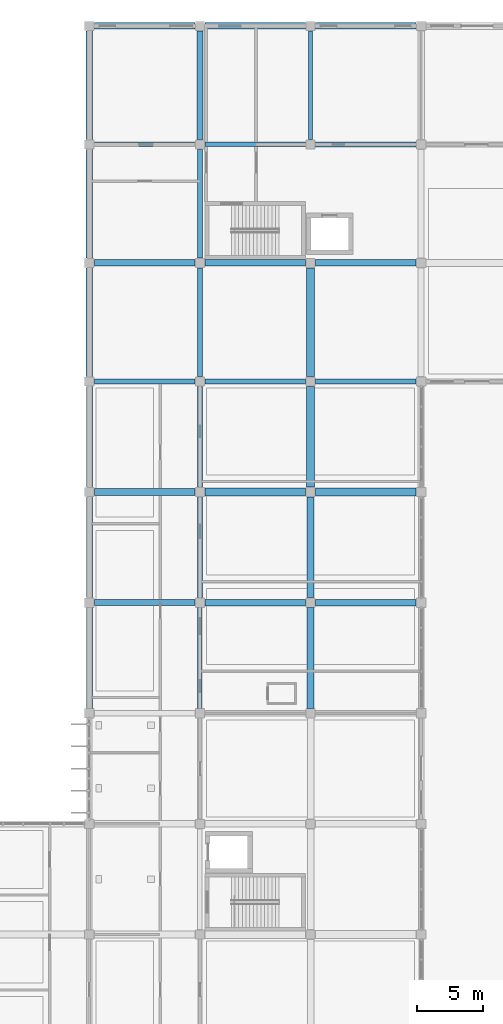
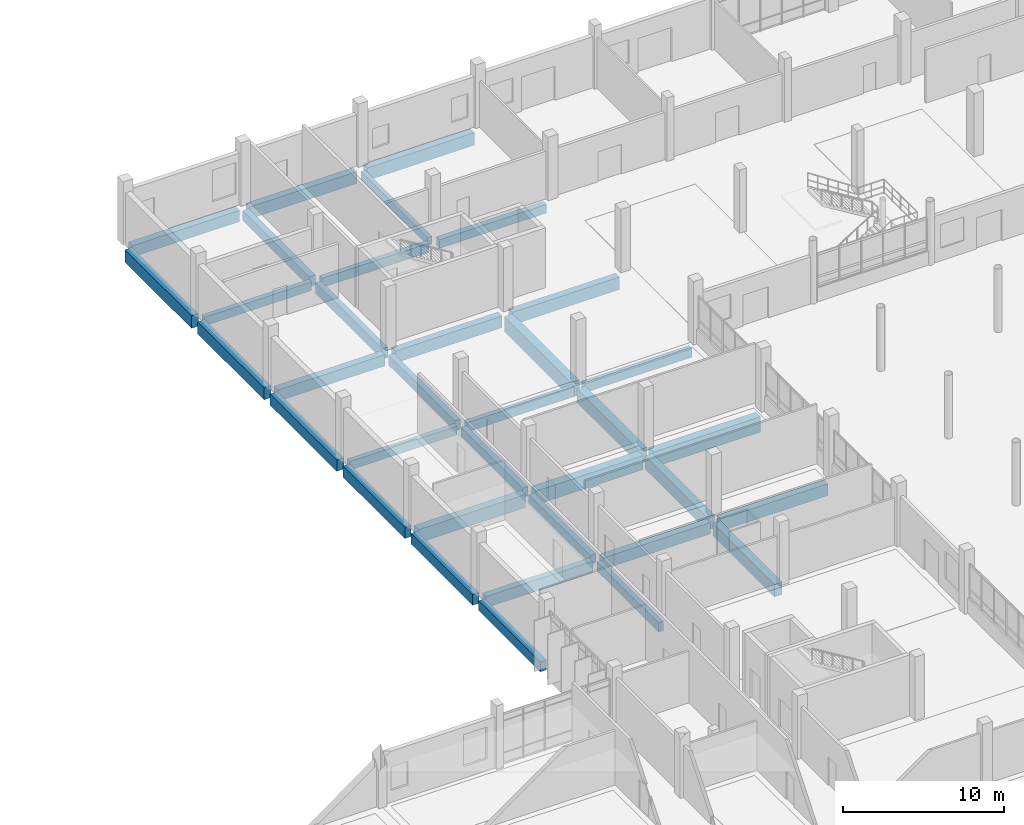
# One storey, part 41 of 95: 35 beams.
"""IFC4 building model written with IfcOpenShell, lengths in metres."""

from ifc_helpers import new_model, si_unit, direction, frame, origin, origin_2d, place, context, subcontext, project, spatial, rectangle, extrude, material, material_profile, profile_set, type_object, element, save


model = new_model("IFC4")

# Units and contexts
model_context = context("Model", 3, precision=1e-05, world=origin(), true_north=direction((0.0, 1.0)))
body_context = subcontext(model_context, "Body", "Model", "MODEL_VIEW")
ifc_project = project(units=[si_unit("LENGTHUNIT", "METRE"), si_unit("AREAUNIT", "SQUARE_METRE"), si_unit("VOLUMEUNIT", "CUBIC_METRE"), si_unit("PLANEANGLEUNIT", "RADIAN"), si_unit("MASSUNIT", "GRAM", prefix="KILO")], contexts=[model_context])

# Site, building, storey
site_placement = place(None, origin())
site = spatial("IfcSite", under=ifc_project, at=site_placement, CompositionType="ELEMENT")
building_placement = place(site_placement, origin())
building = spatial("IfcBuilding", under=site, at=building_placement, Name="Vireocrest Preparatory School", CompositionType="ELEMENT")
storey_placement = place(building_placement, origin())
storey = spatial("IfcBuildingStorey", under=building, at=storey_placement, Name="L00", CompositionType="ELEMENT", Elevation=0.0)

# Beams
ifc_material = material(Name="Concrete 40 MPa", Category="concrete")
ifc_material_profile_1 = material_profile(ifc_material, rectangle(XDim=0.5, YDim=0.949951171875, at=origin_2d()), Name="RC 500x950")
ifc_profile_set_1 = profile_set([ifc_material_profile_1], Name="Concrete 40 MPa")
beam_type_1 = type_object("IfcBeamType", Name="RC Basement Ceiling Girder 500x950", PredefinedType="BEAM", material=ifc_profile_set_1)
for number, where, z_axis, x_axis, name in (
    (1, (59.175048828125, 94.800048828125, -0.824951171875), (1.0, 0.0, 0.0), (0.0, 1.0, 0.0), "Primary Girder B16 L00-0104"),
    (2, (59.175048828125, 112.800048828125, -0.824951171875), (1.0, 0.0, 0.0), (0.0, 1.0, 0.0), "Primary Girder B16 L00-0122"),
):
    element("IfcBeam", number, at=place(storey_placement, frame(where, z_axis=z_axis, x_axis=x_axis)), inside=storey, type_object=beam_type_1, Name=name, PredefinedType="BEAM", context=body_context, shape_type="SweptSolid", body=[
        extrude(rectangle(XDim=0.5, YDim=0.949951171875, at=origin_2d()), origin(), (0.0, 0.0, 1.0), 7.64990234375),
    ])
beam_1_placement = place(storey_placement, frame((42.0, 104.175048828125, -0.824951171875), z_axis=(0.0, 1.0, 0.0), x_axis=(-1.0, 0.0, 0.0)))
element("IfcBeam", 3, at=beam_1_placement, inside=storey, type_object=beam_type_1, Name="Primary Girder B16 L00-0153", PredefinedType="BEAM", context=body_context, shape_type="SweptSolid", body=[
    extrude(rectangle(XDim=0.5, YDim=0.949951171875, at=origin_2d()), origin(), (0.0, 0.0, 1.0), 8.25),
])
ifc_material_profile_2 = material_profile(ifc_material, rectangle(XDim=0.300048828125, YDim=0.60009765625, at=origin_2d()), Name="RC 300x600")
ifc_profile_set_2 = profile_set([ifc_material_profile_2], Name="Concrete 40 MPa")
beam_type_2 = type_object("IfcBeamType", Name="RC Classroom Beam 300x600", PredefinedType="BEAM", material=ifc_profile_set_2)
beam_2_placement = place(storey_placement, frame((58.800048828125, 104.175048828125, -0.64990234375), z_axis=(0.0, 1.0, 0.0), x_axis=(-1.0, 0.0, 0.0)))
element("IfcBeam", 4, at=beam_2_placement, inside=storey, type_object=beam_type_2, Name="Primary Girder B03 L00-0176", PredefinedType="BEAM", context=body_context, shape_type="SweptSolid", body=[
    extrude(rectangle(XDim=0.300048828125, YDim=0.60009765625, at=origin_2d()), origin(), (0.0, 0.0, 1.0), 8.25),
])
ifc_material_profile_3 = material_profile(ifc_material, rectangle(XDim=0.35009765625, YDim=0.64990234375, at=origin_2d()), Name="RC 350x650")
ifc_profile_set_3 = profile_set([ifc_material_profile_3], Name="Concrete 40 MPa")
beam_type_3 = type_object("IfcBeamType", Name="RC Classroom Girder 350x650", PredefinedType="BEAM", material=ifc_profile_set_3)
for number, where, z_axis, x_axis, name in (
    (5, (42.375, 85.800048828125, -0.675048828125), (1.0, 0.0, 0.0), (0.0, 1.0, 0.0), "Primary Girder B05 L00-0093"),
    (6, (42.375, 103.800048828125, -0.675048828125), (1.0, 0.0, 0.0), (0.0, 1.0, 0.0), "Primary Girder B05 L00-0111"),
):
    element("IfcBeam", number, at=place(storey_placement, frame(where, z_axis=z_axis, x_axis=x_axis)), inside=storey, type_object=beam_type_3, Name=name, PredefinedType="BEAM", context=body_context, shape_type="SweptSolid", body=[
        extrude(rectangle(XDim=0.35009765625, YDim=0.64990234375, at=origin_2d()), origin(), (0.0, 0.0, 1.0), 7.64990234375),
    ])
ifc_material_profile_4 = material_profile(ifc_material, rectangle(XDim=0.39990234375, YDim=0.75, at=origin_2d()), Name="RC 400x750")
ifc_profile_set_4 = profile_set([ifc_material_profile_4], Name="Concrete 40 MPa")
beam_type_4 = type_object("IfcBeamType", Name="RC Commons Girder 400x750", PredefinedType="BEAM", material=ifc_profile_set_4)
beam_3_placement = place(storey_placement, frame((50.39990234375, 86.175048828125, -0.72509765625), z_axis=(0.0, 1.0, 0.0), x_axis=(-1.0, 0.0, 0.0)))
element("IfcBeam", 7, at=beam_3_placement, inside=storey, type_object=beam_type_4, Name="Primary Girder B09 L00-0164", PredefinedType="BEAM", context=body_context, shape_type="SweptSolid", body=[
    extrude(rectangle(XDim=0.39990234375, YDim=0.75, at=origin_2d()), origin(), (0.0, 0.0, 1.0), 8.25),
])
ifc_material_profile_5 = material_profile(ifc_material, rectangle(XDim=0.550048828125, YDim=1.0, at=origin_2d()), Name="RC 550x1000")
ifc_profile_set_5 = profile_set([ifc_material_profile_5], Name="Concrete 40 MPa")
beam_type_5 = type_object("IfcBeamType", Name="RC Core Coupling Beam 550x1000", PredefinedType="BEAM", material=ifc_profile_set_5)
for number, where, z_axis, x_axis, name in (
    (8, (42.375, 77.39990234375, -0.85009765625), (1.0, 0.0, 0.0), (0.0, 1.0, 0.0), "Primary Girder B18 L00-0088"),
    (9, (58.800048828125, 69.375, -0.85009765625), (0.0, 1.0, 0.0), (-1.0, 0.0, 0.0), "Primary Girder B18 L00-0173"),
):
    element("IfcBeam", number, at=place(storey_placement, frame(where, z_axis=z_axis, x_axis=x_axis)), inside=storey, type_object=beam_type_5, Name=name, PredefinedType="BEAM", context=body_context, shape_type="SweptSolid", body=[
        extrude(rectangle(XDim=0.550048828125, YDim=1.0, at=origin_2d()), origin(), (0.0, 0.0, 1.0), 7.64990234375),
    ])
ifc_material_profile_6 = material_profile(ifc_material, rectangle(XDim=0.39990234375, YDim=0.699951171875, at=origin_2d()), Name="RC 400x700")
ifc_profile_set_6 = profile_set([ifc_material_profile_6], Name="Concrete 40 MPa")
beam_type_6 = type_object("IfcBeamType", Name="RC Corridor Girder 400x700", PredefinedType="BEAM", material=ifc_profile_set_6)
beam_4_placement = place(storey_placement, frame((50.39990234375, 77.77490234375, -0.699951171875), z_axis=(0.0, 1.0, 0.0), x_axis=(-1.0, 0.0, 0.0)))
element("IfcBeam", 10, at=beam_4_placement, inside=storey, type_object=beam_type_6, Name="Primary Girder B08 L00-0163", PredefinedType="BEAM", context=body_context, shape_type="SweptSolid", body=[
    extrude(rectangle(XDim=0.39990234375, YDim=0.699951171875, at=origin_2d()), origin(), (0.0, 0.0, 1.0), 7.650146484375),
])
ifc_material_profile_7 = material_profile(ifc_material, rectangle(XDim=0.449951171875, YDim=0.85009765625, at=origin_2d()), Name="RC 450x850")
ifc_profile_set_7 = profile_set([ifc_material_profile_7], Name="Concrete 40 MPa")
beam_type_7 = type_object("IfcBeamType", Name="RC Heavy Floor Girder 450x850", PredefinedType="BEAM", material=ifc_profile_set_7)
beam_5_placement = place(storey_placement, frame((42.375, 69.0, -0.77490234375), z_axis=(1.0, 0.0, 0.0), x_axis=(0.0, 1.0, 0.0)))
element("IfcBeam", 11, at=beam_5_placement, inside=storey, type_object=beam_type_7, Name="Primary Girder B13 L00-0083", PredefinedType="BEAM", context=body_context, shape_type="SweptSolid", body=[
    extrude(rectangle(XDim=0.449951171875, YDim=0.85009765625, at=origin_2d()), origin(), (0.0, 0.0, 1.0), 7.64990234375),
])
beam_6_placement = place(storey_placement, frame((42.0, 77.77490234375, -0.77490234375), z_axis=(0.0, 1.0, 0.0), x_axis=(-1.0, 0.0, 0.0)))
element("IfcBeam", 12, at=beam_6_placement, inside=storey, type_object=beam_type_7, Name="Primary Girder B13 L00-0150", PredefinedType="BEAM", context=body_context, shape_type="SweptSolid", body=[
    extrude(rectangle(XDim=0.449951171875, YDim=0.85009765625, at=origin_2d()), origin(), (0.0, 0.0, 1.0), 7.650146484375),
])
ifc_material_profile_8 = material_profile(ifc_material, rectangle(XDim=0.60009765625, YDim=1.14990234375, at=origin_2d()), Name="RC 600x1150")
ifc_profile_set_8 = profile_set([ifc_material_profile_8], Name="Concrete 40 MPa")
beam_type_8 = type_object("IfcBeamType", Name="RC Heavy Transfer Girder 600x1150", PredefinedType="BEAM", material=ifc_profile_set_8)
beam_7_placement = place(storey_placement, frame((59.175048828125, 77.39990234375, -0.925048828125), z_axis=(1.0, 0.0, 0.0), x_axis=(0.0, 1.0, 0.0)))
element("IfcBeam", 13, at=beam_7_placement, inside=storey, type_object=beam_type_8, Name="Primary Girder B20 L00-0090", PredefinedType="BEAM", context=body_context, shape_type="SweptSolid", body=[
    extrude(rectangle(XDim=0.60009765625, YDim=1.14990234375, at=origin_2d()), origin(), (0.0, 0.0, 1.0), 7.64990234375),
])
beam_8_placement = place(storey_placement, frame((58.800048828125, 86.175048828125, -0.925048828125), z_axis=(0.0, 1.0, 0.0), x_axis=(-1.0, 0.0, 0.0)))
element("IfcBeam", 14, at=beam_8_placement, inside=storey, type_object=beam_type_8, Name="Primary Girder B20 L00-0175", PredefinedType="BEAM", context=body_context, shape_type="SweptSolid", body=[
    extrude(rectangle(XDim=0.60009765625, YDim=1.14990234375, at=origin_2d()), origin(), (0.0, 0.0, 1.0), 8.25),
])
ifc_material_profile_9 = material_profile(ifc_material, rectangle(XDim=0.35009765625, YDim=0.699951171875, at=origin_2d()), Name="RC 350x700")
ifc_profile_set_9 = profile_set([ifc_material_profile_9], Name="Concrete 40 MPa")
beam_type_9 = type_object("IfcBeamType", Name="RC Laboratory Girder 350x700", PredefinedType="BEAM", material=ifc_profile_set_9)
for number, where, z_axis, x_axis, name in (
    (15, (50.77490234375, 85.800048828125, -0.699951171875), (1.0, 0.0, 0.0), (0.0, 1.0, 0.0), "Primary Girder B06 L00-0094"),
    (16, (50.77490234375, 103.800048828125, -0.699951171875), (1.0, 0.0, 0.0), (0.0, 1.0, 0.0), "Primary Girder B06 L00-0112"),
):
    element("IfcBeam", number, at=place(storey_placement, frame(where, z_axis=z_axis, x_axis=x_axis)), inside=storey, type_object=beam_type_9, Name=name, PredefinedType="BEAM", context=body_context, shape_type="SweptSolid", body=[
        extrude(rectangle(XDim=0.35009765625, YDim=0.699951171875, at=origin_2d()), origin(), (0.0, 0.0, 1.0), 7.650146484375),
    ])
beam_9_placement = place(storey_placement, frame((50.39990234375, 60.97509765625, -0.699951171875), z_axis=(0.0, 1.0, 0.0), x_axis=(-1.0, 0.0, 0.0)))
element("IfcBeam", 17, at=beam_9_placement, inside=storey, type_object=beam_type_9, Name="Primary Girder B06 L00-0161", PredefinedType="BEAM", context=body_context, shape_type="SweptSolid", body=[
    extrude(rectangle(XDim=0.35009765625, YDim=0.699951171875, at=origin_2d()), origin(), (0.0, 0.0, 1.0), 7.64990234375),
])
ifc_material_profile_10 = material_profile(ifc_material, rectangle(XDim=0.39990234375, YDim=0.64990234375, at=origin_2d()), Name="RC 400x650")
ifc_profile_set_10 = profile_set([ifc_material_profile_10], Name="Concrete 40 MPa")
beam_type_10 = type_object("IfcBeamType", Name="RC Laboratory Girder 400x650", PredefinedType="BEAM", material=ifc_profile_set_10)
for number, where, z_axis, x_axis, name in (
    (18, (59.175048828125, 85.800048828125, -0.675048828125), (1.0, 0.0, 0.0), (0.0, 1.0, 0.0), "Primary Girder B07 L00-0095"),
    (19, (59.175048828125, 103.800048828125, -0.675048828125), (1.0, 0.0, 0.0), (0.0, 1.0, 0.0), "Primary Girder B07 L00-0113"),
    (20, (50.39990234375, 69.375, -0.675048828125), (0.0, 1.0, 0.0), (-1.0, 0.0, 0.0), "Primary Girder B07 L00-0162"),
):
    element("IfcBeam", number, at=place(storey_placement, frame(where, z_axis=z_axis, x_axis=x_axis)), inside=storey, type_object=beam_type_10, Name=name, PredefinedType="BEAM", context=body_context, shape_type="SweptSolid", body=[
        extrude(rectangle(XDim=0.39990234375, YDim=0.64990234375, at=origin_2d()), origin(), (0.0, 0.0, 1.0), 7.64990234375),
    ])
ifc_material_profile_11 = material_profile(ifc_material, rectangle(XDim=0.39990234375, YDim=0.800048828125, at=origin_2d()), Name="RC 400x800")
ifc_profile_set_11 = profile_set([ifc_material_profile_11], Name="Concrete 40 MPa")
beam_type_11 = type_object("IfcBeamType", Name="RC Library Reading Girder 400x800", PredefinedType="BEAM", material=ifc_profile_set_11)
beam_10_placement = place(storey_placement, frame((50.39990234375, 95.175048828125, -0.75), z_axis=(0.0, 1.0, 0.0), x_axis=(-1.0, 0.0, 0.0)))
element("IfcBeam", 21, at=beam_10_placement, inside=storey, type_object=beam_type_11, Name="Primary Girder B10 L00-0165", PredefinedType="BEAM", context=body_context, shape_type="SweptSolid", body=[
    extrude(rectangle(XDim=0.39990234375, YDim=0.800048828125, at=origin_2d()), origin(), (0.0, 0.0, 1.0), 8.25),
])
ifc_material_profile_12 = material_profile(ifc_material, rectangle(XDim=0.449951171875, YDim=0.75, at=origin_2d()), Name="RC 450x750")
ifc_profile_set_12 = profile_set([ifc_material_profile_12], Name="Concrete 40 MPa")
beam_type_12 = type_object("IfcBeamType", Name="RC Library Stack Girder 450x750", PredefinedType="BEAM", material=ifc_profile_set_12)
beam_11_placement = place(storey_placement, frame((42.0, 60.97509765625, -0.72509765625), z_axis=(0.0, 1.0, 0.0), x_axis=(-1.0, 0.0, 0.0)))
element("IfcBeam", 22, at=beam_11_placement, inside=storey, type_object=beam_type_12, Name="Primary Girder B11 L00-0148", PredefinedType="BEAM", context=body_context, shape_type="SweptSolid", body=[
    extrude(rectangle(XDim=0.449951171875, YDim=0.75, at=origin_2d()), origin(), (0.0, 0.0, 1.0), 7.64990234375),
])
beam_12_placement = place(storey_placement, frame((50.39990234375, 104.175048828125, -0.72509765625), z_axis=(0.0, 1.0, 0.0), x_axis=(-1.0, 0.0, 0.0)))
element("IfcBeam", 23, at=beam_12_placement, inside=storey, type_object=beam_type_12, Name="Primary Girder B11 L00-0166", PredefinedType="BEAM", context=body_context, shape_type="SweptSolid", body=[
    extrude(rectangle(XDim=0.449951171875, YDim=0.75, at=origin_2d()), origin(), (0.0, 0.0, 1.0), 8.25),
])
ifc_material_profile_13 = material_profile(ifc_material, rectangle(XDim=0.449951171875, YDim=0.800048828125, at=origin_2d()), Name="RC 450x800")
ifc_profile_set_13 = profile_set([ifc_material_profile_13], Name="Concrete 40 MPa")
beam_type_13 = type_object("IfcBeamType", Name="RC Library Stack Girder 450x800", PredefinedType="BEAM", material=ifc_profile_set_13)
beam_13_placement = place(storey_placement, frame((42.0, 69.375, -0.75), z_axis=(0.0, 1.0, 0.0), x_axis=(-1.0, 0.0, 0.0)))
element("IfcBeam", 24, at=beam_13_placement, inside=storey, type_object=beam_type_13, Name="Primary Girder B12 L00-0149", PredefinedType="BEAM", context=body_context, shape_type="SweptSolid", body=[
    extrude(rectangle(XDim=0.449951171875, YDim=0.800048828125, at=origin_2d()), origin(), (0.0, 0.0, 1.0), 7.64990234375),
])
ifc_material_profile_14 = material_profile(ifc_material, rectangle(XDim=0.5, YDim=0.85009765625, at=origin_2d()), Name="RC 500x850")
ifc_profile_set_14 = profile_set([ifc_material_profile_14], Name="Concrete 40 MPa")
beam_type_14 = type_object("IfcBeamType", Name="RC Podium Girder 500x850", PredefinedType="BEAM", material=ifc_profile_set_14)
beam_14_placement = place(storey_placement, frame((50.77490234375, 69.0, -0.77490234375), z_axis=(1.0, 0.0, 0.0), x_axis=(0.0, 1.0, 0.0)))
element("IfcBeam", 25, at=beam_14_placement, inside=storey, type_object=beam_type_14, Name="Primary Girder B14 L00-0084", PredefinedType="BEAM", context=body_context, shape_type="SweptSolid", body=[
    extrude(rectangle(XDim=0.5, YDim=0.85009765625, at=origin_2d()), origin(), (0.0, 0.0, 1.0), 7.650146484375),
])
for number, where, z_axis, x_axis, name in (
    (26, (42.375, 94.800048828125, -0.77490234375), (1.0, 0.0, 0.0), (0.0, 1.0, 0.0), "Primary Girder B14 L00-0102"),
    (27, (42.375, 112.800048828125, -0.77490234375), (1.0, 0.0, 0.0), (0.0, 1.0, 0.0), "Primary Girder B14 L00-0120"),
):
    element("IfcBeam", number, at=place(storey_placement, frame(where, z_axis=z_axis, x_axis=x_axis)), inside=storey, type_object=beam_type_14, Name=name, PredefinedType="BEAM", context=body_context, shape_type="SweptSolid", body=[
        extrude(rectangle(XDim=0.5, YDim=0.85009765625, at=origin_2d()), origin(), (0.0, 0.0, 1.0), 7.64990234375),
    ])
beam_15_placement = place(storey_placement, frame((42.0, 86.175048828125, -0.77490234375), z_axis=(0.0, 1.0, 0.0), x_axis=(-1.0, 0.0, 0.0)))
element("IfcBeam", 28, at=beam_15_placement, inside=storey, type_object=beam_type_14, Name="Primary Girder B14 L00-0151", PredefinedType="BEAM", context=body_context, shape_type="SweptSolid", body=[
    extrude(rectangle(XDim=0.5, YDim=0.85009765625, at=origin_2d()), origin(), (0.0, 0.0, 1.0), 8.25),
])
ifc_material_profile_15 = material_profile(ifc_material, rectangle(XDim=0.5, YDim=0.89990234375, at=origin_2d()), Name="RC 500x900")
ifc_profile_set_15 = profile_set([ifc_material_profile_15], Name="Concrete 40 MPa")
beam_type_15 = type_object("IfcBeamType", Name="RC Podium Girder 500x900", PredefinedType="BEAM", material=ifc_profile_set_15)
beam_16_placement = place(storey_placement, frame((59.175048828125, 69.0, -0.800048828125), z_axis=(1.0, 0.0, 0.0), x_axis=(0.0, 1.0, 0.0)))
element("IfcBeam", 29, at=beam_16_placement, inside=storey, type_object=beam_type_15, Name="Primary Girder B15 L00-0085", PredefinedType="BEAM", context=body_context, shape_type="SweptSolid", body=[
    extrude(rectangle(XDim=0.5, YDim=0.89990234375, at=origin_2d()), origin(), (0.0, 0.0, 1.0), 7.64990234375),
])
for number, where, z_axis, x_axis, name in (
    (30, (50.77490234375, 94.800048828125, -0.800048828125), (1.0, 0.0, 0.0), (0.0, 1.0, 0.0), "Primary Girder B15 L00-0103"),
    (31, (50.77490234375, 112.800048828125, -0.800048828125), (1.0, 0.0, 0.0), (0.0, 1.0, 0.0), "Primary Girder B15 L00-0121"),
):
    element("IfcBeam", number, at=place(storey_placement, frame(where, z_axis=z_axis, x_axis=x_axis)), inside=storey, type_object=beam_type_15, Name=name, PredefinedType="BEAM", context=body_context, shape_type="SweptSolid", body=[
        extrude(rectangle(XDim=0.5, YDim=0.89990234375, at=origin_2d()), origin(), (0.0, 0.0, 1.0), 7.650146484375),
    ])
beam_17_placement = place(storey_placement, frame((42.0, 95.175048828125, -0.800048828125), z_axis=(0.0, 1.0, 0.0), x_axis=(-1.0, 0.0, 0.0)))
element("IfcBeam", 32, at=beam_17_placement, inside=storey, type_object=beam_type_15, Name="Primary Girder B15 L00-0152", PredefinedType="BEAM", context=body_context, shape_type="SweptSolid", body=[
    extrude(rectangle(XDim=0.5, YDim=0.89990234375, at=origin_2d()), origin(), (0.0, 0.0, 1.0), 8.25),
])
ifc_material_profile_16 = material_profile(ifc_material, rectangle(XDim=0.550048828125, YDim=0.949951171875, at=origin_2d()), Name="RC 550x950")
ifc_profile_set_16 = profile_set([ifc_material_profile_16], Name="Concrete 40 MPa")
beam_type_16 = type_object("IfcBeamType", Name="RC Setback Edge Girder 550x950", PredefinedType="BEAM", material=ifc_profile_set_16)
beam_18_placement = place(storey_placement, frame((58.800048828125, 60.97509765625, -0.824951171875), z_axis=(0.0, 1.0, 0.0), x_axis=(-1.0, 0.0, 0.0)))
element("IfcBeam", 33, at=beam_18_placement, inside=storey, type_object=beam_type_16, Name="Primary Girder B17 L00-0172", PredefinedType="BEAM", context=body_context, shape_type="SweptSolid", body=[
    extrude(rectangle(XDim=0.550048828125, YDim=0.949951171875, at=origin_2d()), origin(), (0.0, 0.0, 1.0), 7.64990234375),
])
ifc_material_profile_17 = material_profile(ifc_material, rectangle(XDim=0.60009765625, YDim=1.050048828125, at=origin_2d()), Name="RC 600x1050")
ifc_profile_set_17 = profile_set([ifc_material_profile_17], Name="Concrete 40 MPa")
beam_type_17 = type_object("IfcBeamType", Name="RC Transfer Girder 600x1050", PredefinedType="BEAM", material=ifc_profile_set_17)
for number, where, z_axis, x_axis, name in (
    (34, (50.77490234375, 77.39990234375, -0.875), (1.0, 0.0, 0.0), (0.0, 1.0, 0.0), "Primary Girder B19 L00-0089"),
    (35, (58.800048828125, 77.77490234375, -0.875), (0.0, 1.0, 0.0), (-1.0, 0.0, 0.0), "Primary Girder B19 L00-0174"),
):
    element("IfcBeam", number, at=place(storey_placement, frame(where, z_axis=z_axis, x_axis=x_axis)), inside=storey, type_object=beam_type_17, Name=name, PredefinedType="BEAM", context=body_context, shape_type="SweptSolid", body=[
        extrude(rectangle(XDim=0.60009765625, YDim=1.050048828125, at=origin_2d()), origin(), (0.0, 0.0, 1.0), 7.650146484375),
    ])

save(model, "model.ifc")
